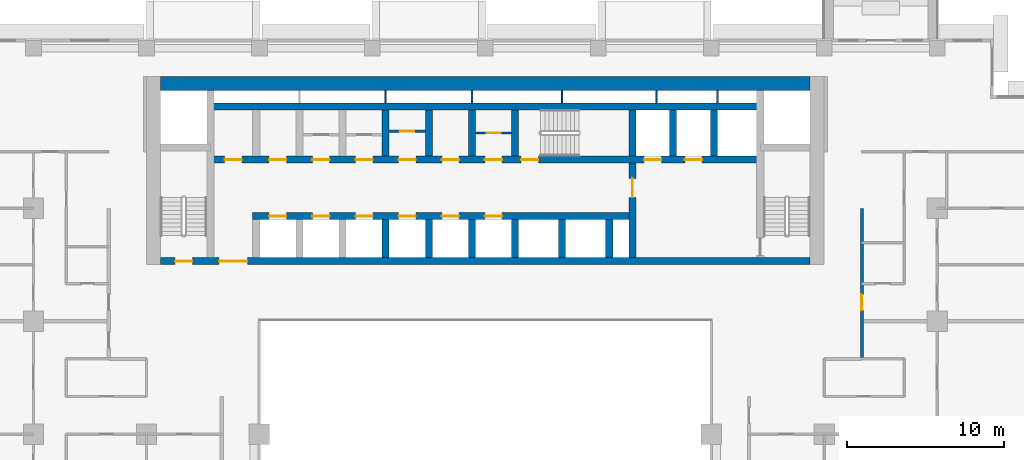
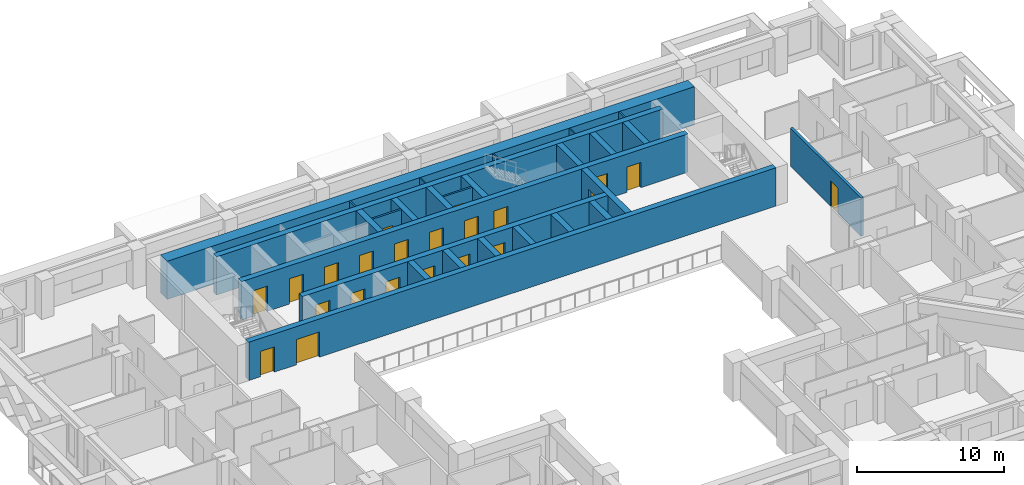
# One storey, part 10 of 16: 27 walls, 22 doors, 22 openings.
"""IFC4 building model written with IfcOpenShell, lengths in metres."""

from ifc_helpers import new_model, si_unit, direction, frame, frame_2d, origin, place, context, subcontext, project, spatial, rectangle, extrude, material, layer, layer_set, type_object, element, fill, save


model = new_model("IFC4")

# Units and contexts
model_context = context("Model", 3, precision=1e-05, world=origin(), true_north=direction((0.0, 1.0)))
body_context = subcontext(model_context, "Body", "Model", "MODEL_VIEW")
ifc_project = project(units=[si_unit("LENGTHUNIT", "METRE"), si_unit("AREAUNIT", "SQUARE_METRE"), si_unit("VOLUMEUNIT", "CUBIC_METRE"), si_unit("PLANEANGLEUNIT", "RADIAN"), si_unit("MASSUNIT", "GRAM", prefix="KILO")], contexts=[model_context])

# Site, building, storey
site_placement = place(None, origin())
site = spatial("IfcSite", under=ifc_project, at=site_placement, CompositionType="ELEMENT")
building_placement = place(site_placement, origin())
building = spatial("IfcBuilding", under=site, at=building_placement, Name="Saffron Iwan Residences", CompositionType="ELEMENT")
storey_placement = place(building_placement, frame((0.0, 0.0, 65.5)))
storey = spatial("IfcBuildingStorey", under=building, at=storey_placement, Name="L16", CompositionType="ELEMENT", Elevation=65.5)

# Wall, opening, door
ifc_material_1 = material(Name="Fire-rated plasterboard partition")
ifc_layer_1 = layer(ifc_material_1, 0.14990234375)
ifc_layer_set_1 = layer_set([ifc_layer_1], Name="Fire-rated plasterboard partition")
wall_type_1 = type_object("IfcWallType", Name="Core partition 150", PredefinedType="PARTITIONING", material=ifc_layer_set_1)
wall_1_placement = place(storey_placement, frame((44.27490234375, 74.51806640625, 0.0), z_axis=(0.0, 0.0, 1.0), x_axis=(1.0, 0.0, 0.0)))
wall_1 = element("IfcWall", 1, at=wall_1_placement, inside=storey, type_object=wall_type_1, Name="Core partition P03", PredefinedType="PARTITIONING", context=body_context, shape_type="SweptSolid", body=[
    extrude(rectangle(XDim=2.300048828125, YDim=0.14990234375, at=frame_2d((1.14990234375, 0.0))), origin(), (0.0, 0.0, 1.0), 3.179931640625),
])
opening_1_placement = place(wall_1_placement, frame((0.699951171875, 0.0, 0.0)))
opening_1 = element("IfcOpeningElement", 2, at=opening_1_placement, cuts=wall_1, Name="Opening SB", PredefinedType="OPENING", context=body_context, shape_type="SweptSolid", body=[
    extrude(rectangle(XDim=0.89990234375, YDim=2.10009765625, at=frame_2d((0.449951171875, 1.050048828125))), frame((0.0, 0.0849609375, 0.0), z_axis=(0.0, -1.0, 0.0), x_axis=(1.0, 0.0, 0.0)), (0.0, 0.0, 1.0), 0.169921875),
])
ifc_material_2 = material(Name="Steel fire door", Category="steel")
door_type_1 = type_object("IfcDoorType", Name="Store door 900", OperationType="NOTDEFINED", PredefinedType="DOOR", material=ifc_material_2)
door_1_placement = place(opening_1_placement, origin())
door_1 = element("IfcDoor", 3, at=door_1_placement, inside=storey, type_object=door_type_1, Name="Door Spares store", OperationType="SINGLE_SWING_LEFT", OverallHeight=2.10009765625, OverallWidth=0.89990234375, PredefinedType="DOOR", context=body_context, shape_type="SweptSolid", body=[
    extrude(rectangle(XDim=0.89990234375, YDim=2.10009765625, at=frame_2d((0.449951171875, 1.050048828125))), frame((0.0, 0.02490234375, 0.0), z_axis=(0.0, -1.0, 0.0), x_axis=(1.0, 0.0, 0.0)), (0.0, 0.0, 1.0), 0.050048828125),
])
fill(opening_1, door_1)

wall_2_placement = place(storey_placement, frame((49.77490234375, 74.39990234375, 0.0), z_axis=(0.0, 0.0, 1.0), x_axis=(1.0, 0.0, 0.0)))
wall_2 = element("IfcWall", 4, at=wall_2_placement, inside=storey, type_object=wall_type_1, Name="Core partition P04", PredefinedType="PARTITIONING", context=body_context, shape_type="SweptSolid", body=[
    extrude(rectangle(XDim=2.300048828125, YDim=0.14990234375, at=frame_2d((1.14990234375, 0.0))), origin(), (0.0, 0.0, 1.0), 3.179931640625),
])
opening_2_placement = place(wall_2_placement, frame((0.699951171875, 0.0, 0.0)))
opening_2 = element("IfcOpeningElement", 5, at=opening_2_placement, cuts=wall_2, Name="Opening SB", PredefinedType="OPENING", context=body_context, shape_type="SweptSolid", body=[
    extrude(rectangle(XDim=0.89990234375, YDim=2.10009765625, at=frame_2d((0.449951171875, 1.050048828125))), frame((0.0, 0.0849609375, 0.0), z_axis=(0.0, -1.0, 0.0), x_axis=(1.0, 0.0, 0.0)), (0.0, 0.0, 1.0), 0.169921875),
])
door_2_placement = place(opening_2_placement, origin())
door_2 = element("IfcDoor", 6, at=door_2_placement, inside=storey, type_object=door_type_1, Name="Door Records store", OperationType="SINGLE_SWING_RIGHT", OverallHeight=2.10009765625, OverallWidth=0.89990234375, PredefinedType="DOOR", context=body_context, shape_type="SweptSolid", body=[
    extrude(rectangle(XDim=0.89990234375, YDim=2.10009765625, at=frame_2d((0.449951171875, 1.050048828125))), frame((0.0, 0.02490234375, 0.0), z_axis=(0.0, -1.0, 0.0), x_axis=(1.0, 0.0, 0.0)), (0.0, 0.0, 1.0), 0.050048828125),
])
fill(opening_2, door_2)

ifc_material_3 = material(Name="Fire-rated gypsum board wall")
ifc_layer_2 = layer(ifc_material_3, 0.199951171875)
ifc_layer_set_2 = layer_set([ifc_layer_2], Name="Fire-rated gypsum board wall")
wall_type_2 = type_object("IfcWallType", Name="Gallery wall 200", PredefinedType="SOLIDWALL", material=ifc_layer_set_2)
wall_3_placement = place(storey_placement, frame((74.39990234375, 60.0, 0.0), z_axis=(0.0, 0.0, 1.0), x_axis=(0.0, 1.0, 0.0)))
wall_3 = element("IfcWall", 7, at=wall_3_placement, inside=storey, type_object=wall_type_2, Name="W-L16-CORR-v74.4-60", PredefinedType="SOLIDWALL", context=body_context, shape_type="SweptSolid", body=[
    extrude(rectangle(XDim=9.60009765625, YDim=0.199951171875, at=frame_2d((4.800048828125, 0.0))), origin(), (0.0, 0.0, 1.0), 3.179931640625),
])
opening_3_placement = place(wall_3_placement, frame((3.10009765625, 0.0, 0.0)))
opening_3 = element("IfcOpeningElement", 8, at=opening_3_placement, cuts=wall_3, Name="Opening FD1", PredefinedType="OPENING", context=body_context, shape_type="SweptSolid", body=[
    extrude(rectangle(XDim=1.0, YDim=2.10009765625, at=frame_2d((0.5, 1.050048828125))), frame((0.0, 0.10986328125, 0.0), z_axis=(0.0, -1.0, 0.0), x_axis=(1.0, 0.0, 0.0)), (0.0, 0.0, 1.0), 0.219970703125),
])
ifc_material_4 = material(Name="Fire-rated timber door", Category="wood")
door_type_2 = type_object("IfcDoorType", Name="FD30S flat entrance door 1000", OperationType="NOTDEFINED", PredefinedType="DOOR", material=ifc_material_4)
door_3_placement = place(opening_3_placement, origin())
door_3 = element("IfcDoor", 9, at=door_3_placement, inside=storey, type_object=door_type_2, Name="Door L16-034", OperationType="SINGLE_SWING_LEFT", OverallHeight=2.10009765625, OverallWidth=1.0, PredefinedType="DOOR", context=body_context, shape_type="SweptSolid", body=[
    extrude(rectangle(XDim=1.0, YDim=2.10009765625, at=frame_2d((0.5, 1.050048828125))), frame((0.0, 0.02490234375, 0.0), z_axis=(0.0, -1.0, 0.0), x_axis=(1.0, 0.0, 0.0)), (0.0, 0.0, 1.0), 0.050048828125),
])
fill(opening_3, door_3)

# Walls
ifc_layer_3 = layer(ifc_material_1, 0.10009765625)
ifc_layer_set_3 = layer_set([ifc_layer_3], Name="Fire-rated plasterboard partition")
wall_type_3 = type_object("IfcWallType", Name="Riser partition 100", PredefinedType="PARTITIONING", material=ifc_layer_set_3)
for number, where, z_axis, x_axis, name in (
    (10, (44.050048828125, 76.324951171875, 0.0), (0.0, 0.0, 1.0), (0.0, 1.0, 0.0), "Core partition P06"),
    (11, (49.550048828125, 76.324951171875, 0.0), (0.0, 0.0, 1.0), (0.0, 1.0, 0.0), "Core partition P07"),
    (12, (55.300048828125, 76.324951171875, 0.0), (0.0, 0.0, 1.0), (0.0, 1.0, 0.0), "Core partition P08"),
    (13, (61.300048828125, 76.324951171875, 0.0), (0.0, 0.0, 1.0), (0.0, 1.0, 0.0), "Core partition P09"),
    (14, (65.199951171875, 76.324951171875, 0.0), (0.0, 0.0, 1.0), (0.0, 1.0, 0.0), "Core partition P10"),
):
    element("IfcWall", number, at=place(storey_placement, frame(where, z_axis=z_axis, x_axis=x_axis)), inside=storey, type_object=wall_type_3, Name=name, PredefinedType="PARTITIONING", context=body_context, shape_type="SweptSolid", body=[
        extrude(rectangle(XDim=0.775146484375, YDim=0.10009765625, at=frame_2d((0.3876953125, 0.0))), origin(), (0.0, 0.0, 1.0), 3.179931640625),
    ])

# Wall, openings, doors
ifc_material_5 = material(Name="Concrete C60/75", Category="concrete")
ifc_layer_4 = layer(ifc_material_5, 0.449951171875)
ifc_layer_set_4 = layer_set([ifc_layer_4], Name="Concrete C60/75")
wall_type_4 = type_object("IfcWallType", Name="WALL CORE 450 C60/75 3180 HIGH", PredefinedType="SHEAR", material=ifc_layer_set_4)
wall_4_placement = place(storey_placement, frame((29.699951171875, 66.22509765625, 0.0), z_axis=(0.0, 0.0, 1.0), x_axis=(1.0, 0.0, 0.0)))
wall_4 = element("IfcWall", 15, at=wall_4_placement, inside=storey, type_object=wall_type_4, Name="Core wall", PredefinedType="SHEAR", context=body_context, shape_type="SweptSolid", body=[
    extrude(rectangle(XDim=41.400146484375, YDim=0.449951171875, at=frame_2d((20.7001953125, 0.0))), origin(), (0.0, 0.0, 1.0), 3.179931640625),
])
opening_4_placement = place(wall_4_placement, frame((0.925048828125, 0.0, 0.0)))
opening_4 = element("IfcOpeningElement", 16, at=opening_4_placement, cuts=wall_4, Name="Opening SD", PredefinedType="OPENING", context=body_context, shape_type="SweptSolid", body=[
    extrude(rectangle(XDim=1.10009765625, YDim=2.10009765625, at=frame_2d((0.550048828125, 1.050048828125))), frame((0.0, 0.23486328125, 0.0), z_axis=(0.0, -1.0, 0.0), x_axis=(1.0, 0.0, 0.0)), (0.0, 0.0, 1.0), 0.469970703125),
])
opening_5_placement = place(wall_4_placement, frame((3.737548828125, 0.0, 0.0)))
opening_5 = element("IfcOpeningElement", 17, at=opening_5_placement, cuts=wall_4, Name="Opening DD", PredefinedType="OPENING", context=body_context, shape_type="SweptSolid", body=[
    extrude(rectangle(XDim=1.800048828125, YDim=2.10009765625, at=frame_2d((0.89990234375, 1.050048828125))), frame((0.0, 0.23486328125, 0.0), z_axis=(0.0, -1.0, 0.0), x_axis=(1.0, 0.0, 0.0)), (0.0, 0.0, 1.0), 0.469970703125),
])
door_type_3 = type_object("IfcDoorType", Name="Lobby double door 1800", OperationType="DOUBLE_DOOR_SINGLE_SWING", PredefinedType="DOOR", material=ifc_material_2)
door_4_placement = place(opening_5_placement, origin())
door_4 = element("IfcDoor", 18, at=door_4_placement, inside=storey, type_object=door_type_3, Name="Lobby doors", OperationType="DOUBLE_DOOR_SINGLE_SWING", OverallHeight=2.10009765625, OverallWidth=1.800048828125, PredefinedType="DOOR", context=body_context, shape_type="SweptSolid", body=[
    extrude(rectangle(XDim=1.800048828125, YDim=2.10009765625, at=frame_2d((0.89990234375, 1.050048828125))), frame((0.0, 0.02490234375, 0.0), z_axis=(0.0, -1.0, 0.0), x_axis=(1.0, 0.0, 0.0)), (0.0, 0.0, 1.0), 0.050048828125),
])
fill(opening_5, door_4)
door_type_4 = type_object("IfcDoorType", Name="Stair door 1100", OperationType="NOTDEFINED", PredefinedType="DOOR", material=ifc_material_2)
door_5_placement = place(opening_4_placement, origin())
door_5 = element("IfcDoor", 19, at=door_5_placement, inside=storey, type_object=door_type_4, Name="Stair door ST-W", OperationType="SINGLE_SWING_LEFT", OverallHeight=2.10009765625, OverallWidth=1.10009765625, PredefinedType="DOOR", context=body_context, shape_type="SweptSolid", body=[
    extrude(rectangle(XDim=1.10009765625, YDim=2.10009765625, at=frame_2d((0.550048828125, 1.050048828125))), frame((0.0, 0.02490234375, 0.0), z_axis=(0.0, -1.0, 0.0), x_axis=(1.0, 0.0, 0.0)), (0.0, 0.0, 1.0), 0.050048828125),
])
fill(opening_4, door_5)

wall_5_placement = place(storey_placement, frame((35.574951171875, 69.10009765625, 0.0), z_axis=(0.0, 0.0, 1.0), x_axis=(1.0, 0.0, 0.0)))
wall_5 = element("IfcWall", 20, at=wall_5_placement, inside=storey, type_object=wall_type_4, Name="Core wall", PredefinedType="SHEAR", context=body_context, shape_type="SweptSolid", body=[
    extrude(rectangle(XDim=24.199951171875, YDim=0.449951171875, at=frame_2d((12.10009765625, 0.0))), origin(), (0.0, 0.0, 1.0), 3.179931640625),
])
opening_6_placement = place(wall_5_placement, frame((1.050048828125, 0.0, 0.0)))
opening_6 = element("IfcOpeningElement", 21, at=opening_6_placement, cuts=wall_5, Name="Opening LD", PredefinedType="OPENING", context=body_context, shape_type="SweptSolid", body=[
    extrude(rectangle(XDim=1.10009765625, YDim=2.10009765625, at=frame_2d((0.550048828125, 1.050048828125))), frame((0.0, 0.23486328125, 0.0), z_axis=(0.0, -1.0, 0.0), x_axis=(1.0, 0.0, 0.0)), (0.0, 0.0, 1.0), 0.469970703125),
])
opening_7_placement = place(wall_5_placement, frame((3.800048828125, 0.0, 0.0)))
opening_7 = element("IfcOpeningElement", 22, at=opening_7_placement, cuts=wall_5, Name="Opening LD", PredefinedType="OPENING", context=body_context, shape_type="SweptSolid", body=[
    extrude(rectangle(XDim=1.10009765625, YDim=2.10009765625, at=frame_2d((0.550048828125, 1.050048828125))), frame((0.0, 0.23486328125, 0.0), z_axis=(0.0, -1.0, 0.0), x_axis=(1.0, 0.0, 0.0)), (0.0, 0.0, 1.0), 0.469970703125),
])
opening_8_placement = place(wall_5_placement, frame((6.550048828125, 0.0, 0.0)))
opening_8 = element("IfcOpeningElement", 23, at=opening_8_placement, cuts=wall_5, Name="Opening LD", PredefinedType="OPENING", context=body_context, shape_type="SweptSolid", body=[
    extrude(rectangle(XDim=1.10009765625, YDim=2.10009765625, at=frame_2d((0.550048828125, 1.050048828125))), frame((0.0, 0.23486328125, 0.0), z_axis=(0.0, -1.0, 0.0), x_axis=(1.0, 0.0, 0.0)), (0.0, 0.0, 1.0), 0.469970703125),
])
opening_9_placement = place(wall_5_placement, frame((9.300048828125, 0.0, 0.0)))
opening_9 = element("IfcOpeningElement", 24, at=opening_9_placement, cuts=wall_5, Name="Opening LD", PredefinedType="OPENING", context=body_context, shape_type="SweptSolid", body=[
    extrude(rectangle(XDim=1.10009765625, YDim=2.10009765625, at=frame_2d((0.550048828125, 1.050048828125))), frame((0.0, 0.23486328125, 0.0), z_axis=(0.0, -1.0, 0.0), x_axis=(1.0, 0.0, 0.0)), (0.0, 0.0, 1.0), 0.469970703125),
])
opening_10_placement = place(wall_5_placement, frame((12.050048828125, 0.0, 0.0)))
opening_10 = element("IfcOpeningElement", 25, at=opening_10_placement, cuts=wall_5, Name="Opening LD", PredefinedType="OPENING", context=body_context, shape_type="SweptSolid", body=[
    extrude(rectangle(XDim=1.10009765625, YDim=2.10009765625, at=frame_2d((0.550048828125, 1.050048828125))), frame((0.0, 0.23486328125, 0.0), z_axis=(0.0, -1.0, 0.0), x_axis=(1.0, 0.0, 0.0)), (0.0, 0.0, 1.0), 0.469970703125),
])
opening_11_placement = place(wall_5_placement, frame((14.800048828125, 0.0, 0.0)))
opening_11 = element("IfcOpeningElement", 26, at=opening_11_placement, cuts=wall_5, Name="Opening LD", PredefinedType="OPENING", context=body_context, shape_type="SweptSolid", body=[
    extrude(rectangle(XDim=1.10009765625, YDim=2.10009765625, at=frame_2d((0.550048828125, 1.050048828125))), frame((0.0, 0.23486328125, 0.0), z_axis=(0.0, -1.0, 0.0), x_axis=(1.0, 0.0, 0.0)), (0.0, 0.0, 1.0), 0.469970703125),
])
door_type_5 = type_object("IfcDoorType", Name="Lift landing door 1100", OperationType="SLIDING_TO_LEFT", PredefinedType="DOOR", material=ifc_material_2)
door_6_placement = place(opening_6_placement, origin())
door_6 = element("IfcDoor", 27, at=door_6_placement, inside=storey, type_object=door_type_5, Name="Landing doors LR1", OperationType="SLIDING_TO_LEFT", OverallHeight=2.10009765625, OverallWidth=1.10009765625, PredefinedType="DOOR", context=body_context, shape_type="SweptSolid", body=[
    extrude(rectangle(XDim=1.10009765625, YDim=2.10009765625, at=frame_2d((0.550048828125, 1.050048828125))), frame((0.0, 0.02490234375, 0.0), z_axis=(0.0, -1.0, 0.0), x_axis=(1.0, 0.0, 0.0)), (0.0, 0.0, 1.0), 0.050048828125),
])
fill(opening_6, door_6)
door_7_placement = place(opening_7_placement, origin())
door_7 = element("IfcDoor", 28, at=door_7_placement, inside=storey, type_object=door_type_5, Name="Landing doors LR2", OperationType="SLIDING_TO_LEFT", OverallHeight=2.10009765625, OverallWidth=1.10009765625, PredefinedType="DOOR", context=body_context, shape_type="SweptSolid", body=[
    extrude(rectangle(XDim=1.10009765625, YDim=2.10009765625, at=frame_2d((0.550048828125, 1.050048828125))), frame((0.0, 0.02490234375, 0.0), z_axis=(0.0, -1.0, 0.0), x_axis=(1.0, 0.0, 0.0)), (0.0, 0.0, 1.0), 0.050048828125),
])
fill(opening_7, door_7)
door_8_placement = place(opening_8_placement, origin())
door_8 = element("IfcDoor", 29, at=door_8_placement, inside=storey, type_object=door_type_5, Name="Landing doors LR3", OperationType="SLIDING_TO_LEFT", OverallHeight=2.10009765625, OverallWidth=1.10009765625, PredefinedType="DOOR", context=body_context, shape_type="SweptSolid", body=[
    extrude(rectangle(XDim=1.10009765625, YDim=2.10009765625, at=frame_2d((0.550048828125, 1.050048828125))), frame((0.0, 0.02490234375, 0.0), z_axis=(0.0, -1.0, 0.0), x_axis=(1.0, 0.0, 0.0)), (0.0, 0.0, 1.0), 0.050048828125),
])
fill(opening_8, door_8)
door_9_placement = place(opening_9_placement, origin())
door_9 = element("IfcDoor", 30, at=door_9_placement, inside=storey, type_object=door_type_5, Name="Landing doors LR4", OperationType="SLIDING_TO_LEFT", OverallHeight=2.10009765625, OverallWidth=1.10009765625, PredefinedType="DOOR", context=body_context, shape_type="SweptSolid", body=[
    extrude(rectangle(XDim=1.10009765625, YDim=2.10009765625, at=frame_2d((0.550048828125, 1.050048828125))), frame((0.0, 0.02490234375, 0.0), z_axis=(0.0, -1.0, 0.0), x_axis=(1.0, 0.0, 0.0)), (0.0, 0.0, 1.0), 0.050048828125),
])
fill(opening_9, door_9)
door_10_placement = place(opening_10_placement, origin())
door_10 = element("IfcDoor", 31, at=door_10_placement, inside=storey, type_object=door_type_5, Name="Landing doors LR5", OperationType="SLIDING_TO_LEFT", OverallHeight=2.10009765625, OverallWidth=1.10009765625, PredefinedType="DOOR", context=body_context, shape_type="SweptSolid", body=[
    extrude(rectangle(XDim=1.10009765625, YDim=2.10009765625, at=frame_2d((0.550048828125, 1.050048828125))), frame((0.0, 0.02490234375, 0.0), z_axis=(0.0, -1.0, 0.0), x_axis=(1.0, 0.0, 0.0)), (0.0, 0.0, 1.0), 0.050048828125),
])
fill(opening_10, door_10)
door_11_placement = place(opening_11_placement, origin())
door_11 = element("IfcDoor", 32, at=door_11_placement, inside=storey, type_object=door_type_5, Name="Landing doors LR6", OperationType="SLIDING_TO_LEFT", OverallHeight=2.10009765625, OverallWidth=1.10009765625, PredefinedType="DOOR", context=body_context, shape_type="SweptSolid", body=[
    extrude(rectangle(XDim=1.10009765625, YDim=2.10009765625, at=frame_2d((0.550048828125, 1.050048828125))), frame((0.0, 0.02490234375, 0.0), z_axis=(0.0, -1.0, 0.0), x_axis=(1.0, 0.0, 0.0)), (0.0, 0.0, 1.0), 0.050048828125),
])
fill(opening_11, door_11)

wall_6_placement = place(storey_placement, frame((32.875, 72.699951171875, 0.0), z_axis=(0.0, 0.0, 1.0), x_axis=(1.0, 0.0, 0.0)))
wall_6 = element("IfcWall", 33, at=wall_6_placement, inside=storey, type_object=wall_type_4, Name="Core wall", PredefinedType="SHEAR", context=body_context, shape_type="SweptSolid", body=[
    extrude(rectangle(XDim=35.050048828125, YDim=0.449951171875, at=frame_2d((17.52490234375, 0.0))), origin(), (0.0, 0.0, 1.0), 3.179931640625),
])
opening_12_placement = place(wall_6_placement, frame((19.800048828125, 0.0, 0.0)))
opening_12 = element("IfcOpeningElement", 34, at=opening_12_placement, cuts=wall_6, Name="Opening SD", PredefinedType="OPENING", context=body_context, shape_type="SweptSolid", body=[
    extrude(rectangle(XDim=1.10009765625, YDim=2.10009765625, at=frame_2d((0.550048828125, 1.050048828125))), frame((0.0, 0.23486328125, 0.0), z_axis=(0.0, -1.0, 0.0), x_axis=(1.0, 0.0, 0.0)), (0.0, 0.0, 1.0), 0.469970703125),
])
opening_13_placement = place(wall_6_placement, frame((27.64990234375, 0.0, 0.0)))
opening_13 = element("IfcOpeningElement", 35, at=opening_13_placement, cuts=wall_6, Name="Opening LD", PredefinedType="OPENING", context=body_context, shape_type="SweptSolid", body=[
    extrude(rectangle(XDim=1.10009765625, YDim=2.10009765625, at=frame_2d((0.550048828125, 1.050048828125))), frame((0.0, 0.23486328125, 0.0), z_axis=(0.0, -1.0, 0.0), x_axis=(1.0, 0.0, 0.0)), (0.0, 0.0, 1.0), 0.469970703125),
])
opening_14_placement = place(wall_6_placement, frame((30.25, 0.0, 0.0)))
opening_14 = element("IfcOpeningElement", 36, at=opening_14_placement, cuts=wall_6, Name="Opening LD", PredefinedType="OPENING", context=body_context, shape_type="SweptSolid", body=[
    extrude(rectangle(XDim=1.10009765625, YDim=2.10009765625, at=frame_2d((0.550048828125, 1.050048828125))), frame((0.0, 0.23486328125, 0.0), z_axis=(0.0, -1.0, 0.0), x_axis=(1.0, 0.0, 0.0)), (0.0, 0.0, 1.0), 0.469970703125),
])
opening_15_placement = place(wall_6_placement, frame((3.75, 0.0, 0.0)))
opening_15 = element("IfcOpeningElement", 37, at=opening_15_placement, cuts=wall_6, Name="Opening SR", PredefinedType="OPENING", context=body_context, shape_type="SweptSolid", body=[
    extrude(rectangle(XDim=1.10009765625, YDim=2.10009765625, at=frame_2d((0.550048828125, 1.050048828125))), frame((0.0, 0.23486328125, 0.0), z_axis=(0.0, -1.0, 0.0), x_axis=(1.0, 0.0, 0.0)), (0.0, 0.0, 1.0), 0.469970703125),
])
opening_16_placement = place(wall_6_placement, frame((6.5, 0.0, 0.0)))
opening_16 = element("IfcOpeningElement", 38, at=opening_16_placement, cuts=wall_6, Name="Opening SR", PredefinedType="OPENING", context=body_context, shape_type="SweptSolid", body=[
    extrude(rectangle(XDim=1.10009765625, YDim=2.10009765625, at=frame_2d((0.550048828125, 1.050048828125))), frame((0.0, 0.23486328125, 0.0), z_axis=(0.0, -1.0, 0.0), x_axis=(1.0, 0.0, 0.0)), (0.0, 0.0, 1.0), 0.469970703125),
])
opening_17_placement = place(wall_6_placement, frame((9.25, 0.0, 0.0)))
opening_17 = element("IfcOpeningElement", 39, at=opening_17_placement, cuts=wall_6, Name="Opening SR", PredefinedType="OPENING", context=body_context, shape_type="SweptSolid", body=[
    extrude(rectangle(XDim=1.10009765625, YDim=2.10009765625, at=frame_2d((0.550048828125, 1.050048828125))), frame((0.0, 0.23486328125, 0.0), z_axis=(0.0, -1.0, 0.0), x_axis=(1.0, 0.0, 0.0)), (0.0, 0.0, 1.0), 0.469970703125),
])
opening_18_placement = place(wall_6_placement, frame((12.0, 0.0, 0.0)))
opening_18 = element("IfcOpeningElement", 40, at=opening_18_placement, cuts=wall_6, Name="Opening SR", PredefinedType="OPENING", context=body_context, shape_type="SweptSolid", body=[
    extrude(rectangle(XDim=1.10009765625, YDim=2.10009765625, at=frame_2d((0.550048828125, 1.050048828125))), frame((0.0, 0.23486328125, 0.0), z_axis=(0.0, -1.0, 0.0), x_axis=(1.0, 0.0, 0.0)), (0.0, 0.0, 1.0), 0.469970703125),
])
opening_19_placement = place(wall_6_placement, frame((14.75, 0.0, 0.0)))
opening_19 = element("IfcOpeningElement", 41, at=opening_19_placement, cuts=wall_6, Name="Opening SR", PredefinedType="OPENING", context=body_context, shape_type="SweptSolid", body=[
    extrude(rectangle(XDim=1.10009765625, YDim=2.10009765625, at=frame_2d((0.550048828125, 1.050048828125))), frame((0.0, 0.23486328125, 0.0), z_axis=(0.0, -1.0, 0.0), x_axis=(1.0, 0.0, 0.0)), (0.0, 0.0, 1.0), 0.469970703125),
])
opening_20_placement = place(wall_6_placement, frame((17.5, 0.0, 0.0)))
opening_20 = element("IfcOpeningElement", 42, at=opening_20_placement, cuts=wall_6, Name="Opening SR", PredefinedType="OPENING", context=body_context, shape_type="SweptSolid", body=[
    extrude(rectangle(XDim=1.10009765625, YDim=2.10009765625, at=frame_2d((0.550048828125, 1.050048828125))), frame((0.0, 0.23486328125, 0.0), z_axis=(0.0, -1.0, 0.0), x_axis=(1.0, 0.0, 0.0)), (0.0, 0.0, 1.0), 0.469970703125),
])
opening_21_placement = place(wall_6_placement, frame((0.91259765625, 0.0, 0.0)))
opening_21 = element("IfcOpeningElement", 43, at=opening_21_placement, cuts=wall_6, Name="Opening SR", PredefinedType="OPENING", context=body_context, shape_type="SweptSolid", body=[
    extrude(rectangle(XDim=1.10009765625, YDim=2.10009765625, at=frame_2d((0.550048828125, 1.050048828125))), frame((0.0, 0.23486328125, 0.0), z_axis=(0.0, -1.0, 0.0), x_axis=(1.0, 0.0, 0.0)), (0.0, 0.0, 1.0), 0.469970703125),
])
door_12_placement = place(opening_13_placement, origin())
door_12 = element("IfcDoor", 44, at=door_12_placement, inside=storey, type_object=door_type_5, Name="Landing doors FF1", OperationType="SLIDING_TO_LEFT", OverallHeight=2.10009765625, OverallWidth=1.10009765625, PredefinedType="DOOR", context=body_context, shape_type="SweptSolid", body=[
    extrude(rectangle(XDim=1.10009765625, YDim=2.10009765625, at=frame_2d((0.550048828125, 1.050048828125))), frame((0.0, 0.02490234375, 0.0), z_axis=(0.0, -1.0, 0.0), x_axis=(1.0, 0.0, 0.0)), (0.0, 0.0, 1.0), 0.050048828125),
])
fill(opening_13, door_12)
door_13_placement = place(opening_14_placement, origin())
door_13 = element("IfcDoor", 45, at=door_13_placement, inside=storey, type_object=door_type_5, Name="Landing doors FF2", OperationType="SLIDING_TO_LEFT", OverallHeight=2.10009765625, OverallWidth=1.10009765625, PredefinedType="DOOR", context=body_context, shape_type="SweptSolid", body=[
    extrude(rectangle(XDim=1.10009765625, YDim=2.10009765625, at=frame_2d((0.550048828125, 1.050048828125))), frame((0.0, 0.02490234375, 0.0), z_axis=(0.0, -1.0, 0.0), x_axis=(1.0, 0.0, 0.0)), (0.0, 0.0, 1.0), 0.050048828125),
])
fill(opening_14, door_13)
door_type_6 = type_object("IfcDoorType", Name="Service door 1100", OperationType="NOTDEFINED", PredefinedType="DOOR", material=ifc_material_2)
door_14_placement = place(opening_15_placement, origin())
door_14 = element("IfcDoor", 46, at=door_14_placement, inside=storey, type_object=door_type_6, Name="Door Furniture store", OperationType="SINGLE_SWING_LEFT", OverallHeight=2.10009765625, OverallWidth=1.10009765625, PredefinedType="DOOR", context=body_context, shape_type="SweptSolid", body=[
    extrude(rectangle(XDim=1.10009765625, YDim=2.10009765625, at=frame_2d((0.550048828125, 1.050048828125))), frame((0.0, 0.02490234375, 0.0), z_axis=(0.0, -1.0, 0.0), x_axis=(1.0, 0.0, 0.0)), (0.0, 0.0, 1.0), 0.050048828125),
])
fill(opening_15, door_14)
door_15_placement = place(opening_16_placement, origin())
door_15 = element("IfcDoor", 47, at=door_15_placement, inside=storey, type_object=door_type_6, Name="Door Housekeeping store", OperationType="SINGLE_SWING_LEFT", OverallHeight=2.10009765625, OverallWidth=1.10009765625, PredefinedType="DOOR", context=body_context, shape_type="SweptSolid", body=[
    extrude(rectangle(XDim=1.10009765625, YDim=2.10009765625, at=frame_2d((0.550048828125, 1.050048828125))), frame((0.0, 0.02490234375, 0.0), z_axis=(0.0, -1.0, 0.0), x_axis=(1.0, 0.0, 0.0)), (0.0, 0.0, 1.0), 0.050048828125),
])
fill(opening_16, door_15)
door_16_placement = place(opening_17_placement, origin())
door_16 = element("IfcDoor", 48, at=door_16_placement, inside=storey, type_object=door_type_6, Name="Door Cleaner's store", OperationType="SINGLE_SWING_LEFT", OverallHeight=2.10009765625, OverallWidth=1.10009765625, PredefinedType="DOOR", context=body_context, shape_type="SweptSolid", body=[
    extrude(rectangle(XDim=1.10009765625, YDim=2.10009765625, at=frame_2d((0.550048828125, 1.050048828125))), frame((0.0, 0.02490234375, 0.0), z_axis=(0.0, -1.0, 0.0), x_axis=(1.0, 0.0, 0.0)), (0.0, 0.0, 1.0), 0.050048828125),
])
fill(opening_17, door_16)
door_17_placement = place(opening_18_placement, origin())
door_17 = element("IfcDoor", 49, at=door_17_placement, inside=storey, type_object=door_type_6, Name="Door Trolley store", OperationType="SINGLE_SWING_LEFT", OverallHeight=2.10009765625, OverallWidth=1.10009765625, PredefinedType="DOOR", context=body_context, shape_type="SweptSolid", body=[
    extrude(rectangle(XDim=1.10009765625, YDim=2.10009765625, at=frame_2d((0.550048828125, 1.050048828125))), frame((0.0, 0.02490234375, 0.0), z_axis=(0.0, -1.0, 0.0), x_axis=(1.0, 0.0, 0.0)), (0.0, 0.0, 1.0), 0.050048828125),
])
fill(opening_18, door_17)
door_18_placement = place(opening_19_placement, origin())
door_18 = element("IfcDoor", 50, at=door_18_placement, inside=storey, type_object=door_type_6, Name="Door Communications room", OperationType="SINGLE_SWING_LEFT", OverallHeight=2.10009765625, OverallWidth=1.10009765625, PredefinedType="DOOR", context=body_context, shape_type="SweptSolid", body=[
    extrude(rectangle(XDim=1.10009765625, YDim=2.10009765625, at=frame_2d((0.550048828125, 1.050048828125))), frame((0.0, 0.02490234375, 0.0), z_axis=(0.0, -1.0, 0.0), x_axis=(1.0, 0.0, 0.0)), (0.0, 0.0, 1.0), 0.050048828125),
])
fill(opening_19, door_18)
door_19_placement = place(opening_20_placement, origin())
door_19 = element("IfcDoor", 51, at=door_19_placement, inside=storey, type_object=door_type_6, Name="Door Switch room", OperationType="SINGLE_SWING_LEFT", OverallHeight=2.10009765625, OverallWidth=1.10009765625, PredefinedType="DOOR", context=body_context, shape_type="SweptSolid", body=[
    extrude(rectangle(XDim=1.10009765625, YDim=2.10009765625, at=frame_2d((0.550048828125, 1.050048828125))), frame((0.0, 0.02490234375, 0.0), z_axis=(0.0, -1.0, 0.0), x_axis=(1.0, 0.0, 0.0)), (0.0, 0.0, 1.0), 0.050048828125),
])
fill(opening_20, door_19)
door_20_placement = place(opening_21_placement, origin())
door_20 = element("IfcDoor", 52, at=door_20_placement, inside=storey, type_object=door_type_6, Name="Door Caretaker's room", OperationType="SINGLE_SWING_LEFT", OverallHeight=2.10009765625, OverallWidth=1.10009765625, PredefinedType="DOOR", context=body_context, shape_type="SweptSolid", body=[
    extrude(rectangle(XDim=1.10009765625, YDim=2.10009765625, at=frame_2d((0.550048828125, 1.050048828125))), frame((0.0, 0.02490234375, 0.0), z_axis=(0.0, -1.0, 0.0), x_axis=(1.0, 0.0, 0.0)), (0.0, 0.0, 1.0), 0.050048828125),
])
fill(opening_21, door_20)
door_21_placement = place(opening_12_placement, origin())
door_21 = element("IfcDoor", 53, at=door_21_placement, inside=storey, type_object=door_type_4, Name="Stair door ST-C", OperationType="SINGLE_SWING_LEFT", OverallHeight=2.10009765625, OverallWidth=1.10009765625, PredefinedType="DOOR", context=body_context, shape_type="SweptSolid", body=[
    extrude(rectangle(XDim=1.10009765625, YDim=2.10009765625, at=frame_2d((0.550048828125, 1.050048828125))), frame((0.0, 0.02490234375, 0.0), z_axis=(0.0, -1.0, 0.0), x_axis=(1.0, 0.0, 0.0)), (0.0, 0.0, 1.0), 0.050048828125),
])
fill(opening_12, door_21)

# Wall
wall_7_placement = place(storey_placement, frame((32.875, 76.10009765625, 0.0), z_axis=(0.0, 0.0, 1.0), x_axis=(1.0, 0.0, 0.0)))
element("IfcWall", 54, at=wall_7_placement, inside=storey, type_object=wall_type_4, Name="Core wall", PredefinedType="SHEAR", context=body_context, shape_type="SweptSolid", body=[
    extrude(rectangle(XDim=35.050048828125, YDim=0.449951171875, at=frame_2d((17.52490234375, 0.0))), origin(), (0.0, 0.0, 1.0), 3.179931640625),
])

# Wall, opening, door
wall_8_placement = place(storey_placement, frame((59.77490234375, 66.449951171875, 0.0), z_axis=(0.0, 0.0, 1.0), x_axis=(0.0, 1.0, 0.0)))
wall_8 = element("IfcWall", 55, at=wall_8_placement, inside=storey, type_object=wall_type_4, Name="Core wall", PredefinedType="SHEAR", context=body_context, shape_type="SweptSolid", body=[
    extrude(rectangle(XDim=6.025146484375, YDim=0.449951171875, at=frame_2d((3.0126953125, 0.0))), origin(), (0.0, 0.0, 1.0), 3.179931640625),
])
opening_22_placement = place(wall_8_placement, frame((3.85009765625, 0.0, 0.0)))
opening_22 = element("IfcOpeningElement", 56, at=opening_22_placement, cuts=wall_8, Name="Opening FD", PredefinedType="OPENING", context=body_context, shape_type="SweptSolid", body=[
    extrude(rectangle(XDim=1.199951171875, YDim=2.10009765625, at=frame_2d((0.60009765625, 1.050048828125))), frame((0.0, 0.23486328125, 0.0), z_axis=(0.0, -1.0, 0.0), x_axis=(1.0, 0.0, 0.0)), (0.0, 0.0, 1.0), 0.469970703125),
])
door_type_7 = type_object("IfcDoorType", Name="Firefighting lobby door 1200", OperationType="NOTDEFINED", PredefinedType="DOOR", material=ifc_material_2)
door_22_placement = place(opening_22_placement, origin())
door_22 = element("IfcDoor", 57, at=door_22_placement, inside=storey, type_object=door_type_7, Name="Firefighting lobby door", OperationType="SINGLE_SWING_RIGHT", OverallHeight=2.10009765625, OverallWidth=1.199951171875, PredefinedType="DOOR", context=body_context, shape_type="SweptSolid", body=[
    extrude(rectangle(XDim=1.199951171875, YDim=2.10009765625, at=frame_2d((0.60009765625, 1.050048828125))), frame((0.0, 0.02490234375, 0.0), z_axis=(0.0, -1.0, 0.0), x_axis=(1.0, 0.0, 0.0)), (0.0, 0.0, 1.0), 0.050048828125),
])
fill(opening_22, door_22)

# Walls
wall_9_placement = place(storey_placement, frame((59.77490234375, 72.925048828125, 0.0), z_axis=(0.0, 0.0, 1.0), x_axis=(0.0, 1.0, 0.0)))
element("IfcWall", 58, at=wall_9_placement, inside=storey, type_object=wall_type_4, Name="Core wall", PredefinedType="SHEAR", context=body_context, shape_type="SweptSolid", body=[
    extrude(rectangle(XDim=2.949951171875, YDim=0.449951171875, at=frame_2d((1.47509765625, 0.0))), origin(), (0.0, 0.0, 1.0), 3.179931640625),
])
for number, where, z_axis, x_axis, name in (
    (59, (44.050048828125, 66.449951171875, 0.0), (0.0, 0.0, 1.0), (0.0, 1.0, 0.0), "Core wall"),
    (60, (46.800048828125, 66.449951171875, 0.0), (0.0, 0.0, 1.0), (0.0, 1.0, 0.0), "Core wall"),
    (61, (49.550048828125, 66.449951171875, 0.0), (0.0, 0.0, 1.0), (0.0, 1.0, 0.0), "Core wall"),
    (62, (52.300048828125, 66.449951171875, 0.0), (0.0, 0.0, 1.0), (0.0, 1.0, 0.0), "Core wall"),
    (63, (55.300048828125, 66.449951171875, 0.0), (0.0, 0.0, 1.0), (0.0, 1.0, 0.0), "Core wall"),
    (64, (58.300048828125, 66.449951171875, 0.0), (0.0, 0.0, 1.0), (0.0, 1.0, 0.0), "Core wall"),
):
    element("IfcWall", number, at=place(storey_placement, frame(where, z_axis=z_axis, x_axis=x_axis)), inside=storey, type_object=wall_type_4, Name=name, PredefinedType="SHEAR", context=body_context, shape_type="SweptSolid", body=[
        extrude(rectangle(XDim=2.425048828125, YDim=0.449951171875, at=frame_2d((1.21240234375, 0.0))), origin(), (0.0, 0.0, 1.0), 3.179931640625),
    ])
for number, where, z_axis, x_axis, name in (
    (65, (44.050048828125, 72.925048828125, 0.0), (0.0, 0.0, 1.0), (0.0, 1.0, 0.0), "Core wall"),
    (66, (46.800048828125, 72.925048828125, 0.0), (0.0, 0.0, 1.0), (0.0, 1.0, 0.0), "Core wall"),
    (67, (49.550048828125, 72.925048828125, 0.0), (0.0, 0.0, 1.0), (0.0, 1.0, 0.0), "Core wall"),
    (68, (52.300048828125, 72.925048828125, 0.0), (0.0, 0.0, 1.0), (0.0, 1.0, 0.0), "Core wall"),
    (69, (62.375, 72.925048828125, 0.0), (0.0, 0.0, 1.0), (0.0, 1.0, 0.0), "Core wall"),
    (70, (64.97509765625, 72.925048828125, 0.0), (0.0, 0.0, 1.0), (0.0, 1.0, 0.0), "Core wall"),
):
    element("IfcWall", number, at=place(storey_placement, frame(where, z_axis=z_axis, x_axis=x_axis)), inside=storey, type_object=wall_type_4, Name=name, PredefinedType="SHEAR", context=body_context, shape_type="SweptSolid", body=[
        extrude(rectangle(XDim=2.949951171875, YDim=0.449951171875, at=frame_2d((1.47509765625, 0.0))), origin(), (0.0, 0.0, 1.0), 3.179931640625),
    ])
ifc_layer_5 = layer(ifc_material_5, 0.89990234375)
ifc_layer_set_5 = layer_set([ifc_layer_5], Name="Concrete C60/75")
wall_type_5 = type_object("IfcWallType", Name="WALL CORE 900 C60/75 3180 HIGH", PredefinedType="SHEAR", material=ifc_layer_set_5)
wall_10_placement = place(storey_placement, frame((29.699951171875, 77.550048828125, 0.0), z_axis=(0.0, 0.0, 1.0), x_axis=(1.0, 0.0, 0.0)))
element("IfcWall", 71, at=wall_10_placement, inside=storey, type_object=wall_type_5, Name="Core wall", PredefinedType="SHEAR", context=body_context, shape_type="SweptSolid", body=[
    extrude(rectangle(XDim=41.400146484375, YDim=0.89990234375, at=frame_2d((20.7001953125, 0.0))), origin(), (0.0, 0.0, 1.0), 3.179931640625),
])

save(model, "model.ifc")
